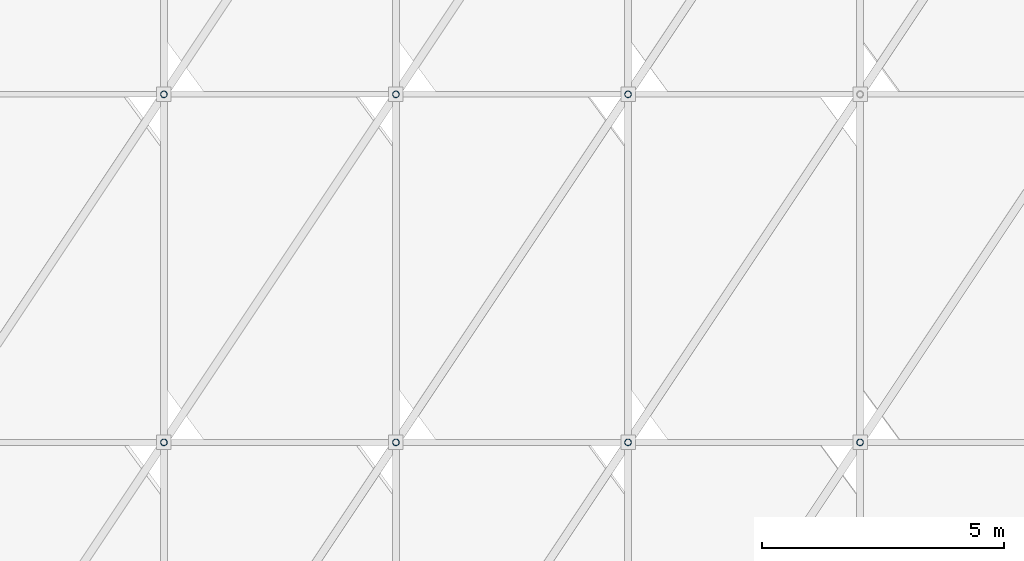
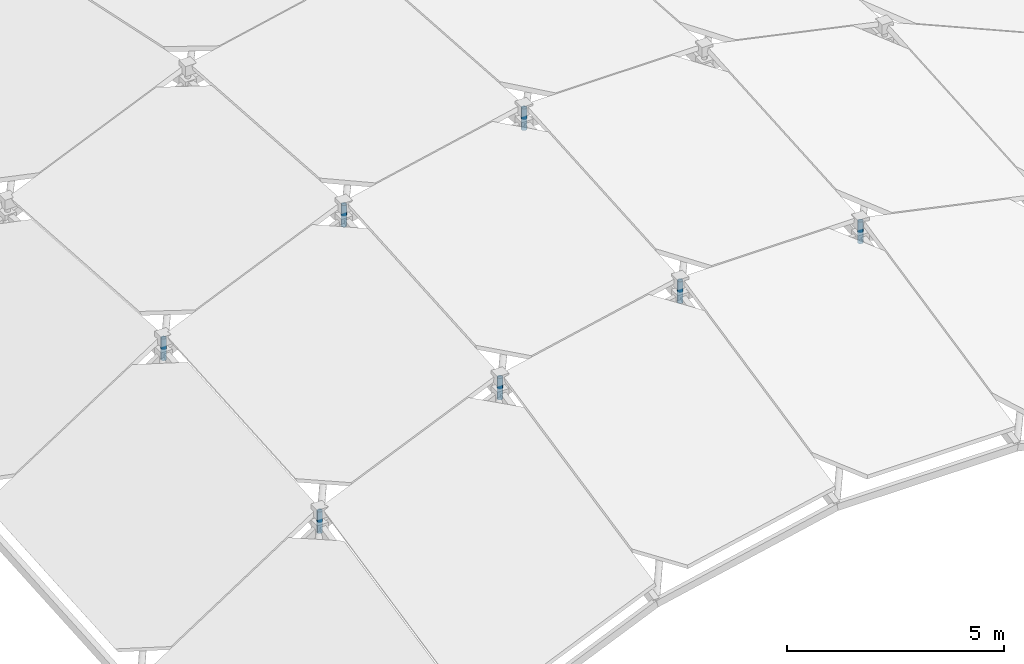
# One storey, part 3 of 9: 7 members.
"""IFC4 building model written with IfcOpenShell, lengths in metres."""

from ifc_helpers import new_model, si_unit, direction, frame, origin, origin_2d, place, context, subcontext, project, spatial, hollow_circle, extrude, material, material_profile, profile_set, type_object, element, save


model = new_model("IFC4")

# Units and contexts
model_context = context("Model", 3, precision=1e-05, world=origin(), true_north=direction((0.0, 1.0)))
body_context = subcontext(model_context, "Body", "Model", "MODEL_VIEW")
ifc_project = project(units=[si_unit("LENGTHUNIT", "METRE"), si_unit("AREAUNIT", "SQUARE_METRE"), si_unit("VOLUMEUNIT", "CUBIC_METRE"), si_unit("PLANEANGLEUNIT", "RADIAN"), si_unit("MASSUNIT", "GRAM", prefix="KILO")], contexts=[model_context])

# Site, building, storey
site_placement = place(None, origin())
site = spatial("IfcSite", under=ifc_project, at=site_placement, CompositionType="ELEMENT")
building_placement = place(site_placement, origin())
building = spatial("IfcBuilding", under=site, at=building_placement, Name="Kahlenmark Community Centre", CompositionType="ELEMENT")
storey_placement = place(building_placement, frame((0.0, 0.0, 25.199951171875)))
storey = spatial("IfcBuildingStorey", under=building, at=storey_placement, Name="RF", CompositionType="ELEMENT", Elevation=25.199951171875)

# Members
ifc_material = material(Name="Steel S355", Category="steel")
ifc_material_profile = material_profile(ifc_material, hollow_circle(Radius=0.06982421875, WallThickness=0.00634765625, at=origin_2d()), Name="CHS 139.7x6.3")
ifc_profile_set = profile_set([ifc_material_profile], Name="Steel S355")
member_type = type_object("IfcMemberType", Name="MT-STRUT-CHS139.7x6.3", PredefinedType="STRUT", material=ifc_profile_set)
for number, where, z_axis, x_axis, name in (
    (1, (17.199951171875, 16.0, -2.69921875), (0.0, 0.0, 1.0), (1.0, 0.0, 0.0), "RF strut GS-SEAT"),
    (2, (17.199951171875, 23.199951171875, -2.1982421875), (0.0, 0.0, 1.0), (1.0, 0.0, 0.0), "RF strut GS-SEAT"),
):
    element("IfcMember", number, at=place(storey_placement, frame(where, z_axis=z_axis, x_axis=x_axis)), inside=storey, type_object=member_type, Name=name, PredefinedType="STRUT", context=body_context, shape_type="SweptSolid", body=[
        extrude(hollow_circle(Radius=0.06982421875, WallThickness=0.00634765625, at=origin_2d()), origin(), (0.0, 0.0, 1.0), 0.60986328125),
    ])
for number, where, z_axis, x_axis, name in (
    (3, (22.0, 16.0, -0.62060546875), (0.0, 0.0, 1.0), (1.0, 0.0, 0.0), "RF strut GS-SEAT"),
    (4, (22.0, 23.199951171875, -0.119873046875), (0.0, 0.0, 1.0), (1.0, 0.0, 0.0), "RF strut GS-SEAT"),
    (5, (26.800048828125, 16.0, 0.418701171875), (0.0, 0.0, 1.0), (1.0, 0.0, 0.0), "RF strut GS-SEAT"),
):
    element("IfcMember", number, at=place(storey_placement, frame(where, z_axis=z_axis, x_axis=x_axis)), inside=storey, type_object=member_type, Name=name, PredefinedType="STRUT", context=body_context, shape_type="SweptSolid", body=[
        extrude(hollow_circle(Radius=0.06982421875, WallThickness=0.00634765625, at=origin_2d()), origin(), (0.0, 0.0, 1.0), 0.610107421875),
    ])
member_1_placement = place(storey_placement, frame((26.800048828125, 23.199951171875, 0.919677734375), z_axis=(0.0, 0.0, 1.0), x_axis=(1.0, 0.0, 0.0)))
element("IfcMember", 6, at=member_1_placement, inside=storey, type_object=member_type, Name="RF strut GS-SEAT", PredefinedType="STRUT", context=body_context, shape_type="SweptSolid", body=[
    extrude(hollow_circle(Radius=0.06982421875, WallThickness=0.00634765625, at=origin_2d()), origin(), (0.0, 0.0, 1.0), 0.60986328125),
])
member_2_placement = place(storey_placement, frame((31.60009765625, 16.0, 0.418701171875), z_axis=(0.0, 0.0, 1.0), x_axis=(1.0, 0.0, 0.0)))
element("IfcMember", 7, at=member_2_placement, inside=storey, type_object=member_type, Name="RF strut GS-SEAT", PredefinedType="STRUT", context=body_context, shape_type="SweptSolid", body=[
    extrude(hollow_circle(Radius=0.06982421875, WallThickness=0.00634765625, at=origin_2d()), origin(), (0.0, 0.0, 1.0), 0.610107421875),
])

save(model, "model.ifc")
